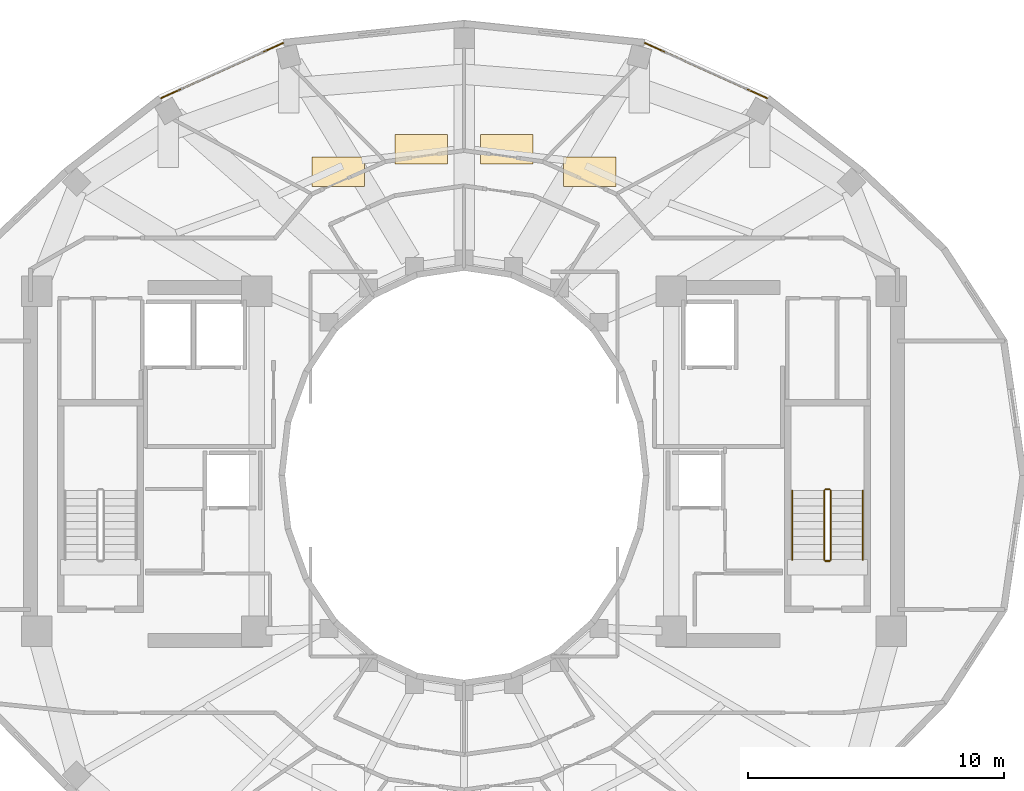
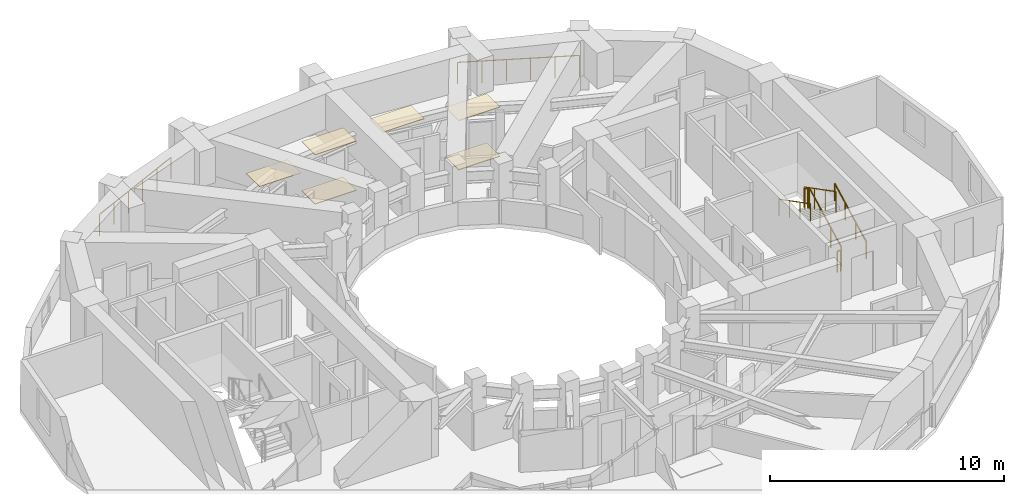
# One storey, part 17 of 17: 8 railings, 6 coverings.
"""IFC4 building model written with IfcOpenShell, lengths in metres."""

from ifc_helpers import new_model, si_unit, direction, frame, origin, origin_2d, place, context, subcontext, project, spatial, polyline, circle, outline, extrude, material, layer, layer_set, type_object, element, save


model = new_model("IFC4")

# Units and contexts
model_context = context("Model", 3, precision=1e-05, world=origin(), true_north=direction((0.0, 1.0)))
body_context = subcontext(model_context, "Body", "Model", "MODEL_VIEW")
ifc_project = project(units=[si_unit("LENGTHUNIT", "METRE"), si_unit("AREAUNIT", "SQUARE_METRE"), si_unit("VOLUMEUNIT", "CUBIC_METRE"), si_unit("PLANEANGLEUNIT", "RADIAN"), si_unit("MASSUNIT", "GRAM", prefix="KILO")], contexts=[model_context])

# Site, building, storey
site_placement = place(None, origin())
site = spatial("IfcSite", under=ifc_project, at=site_placement, CompositionType="ELEMENT")
building_placement = place(site_placement, origin())
building = spatial("IfcBuilding", under=site, at=building_placement, Name="Solvane Sanctuary Tower", CompositionType="ELEMENT")
storey_placement = place(building_placement, frame((0.0, 0.0, 235.699951171875)))
storey = spatial("IfcBuildingStorey", under=building, at=storey_placement, Name="L72", CompositionType="ELEMENT", Elevation=235.699951171875)

# Coverings
ifc_material_1 = material(Name="Acoustic Gypsum Partition Board")
ifc_layer_1 = layer(ifc_material_1, 0.02490234375, Name="Acoustic Gypsum Partition Board")
ifc_layer_set_1 = layer_set([ifc_layer_1], Name="Acoustic Gypsum Partition Board")
covering_type_1 = type_object("IfcCoveringType", Name="Covering CLG-ACOUST", PredefinedType="CEILING", material=ifc_layer_set_1)
covering_1_placement = place(storey_placement, frame((0.0, 0.0, 2.570068359375)))
element("IfcCovering", 1, at=covering_1_placement, inside=storey, type_object=covering_type_1, Name="L72 Unit Acoustic Ceiling Panel 1", PredefinedType="CEILING", context=body_context, shape_type="SweptSolid", body=[
    extrude(outline(polyline([(35.89208984375, 34.297119140625), (37.94189453125, 34.297119140625), (37.94189453125, 35.447021484375), (35.89208984375, 35.447021484375), (35.89208984375, 34.297119140625)])), origin(), (0.0, 0.0, 1.0), 0.030029296875),
])
covering_2_placement = place(storey_placement, frame((0.0, 0.0, 2.570068359375)))
element("IfcCovering", 2, at=covering_2_placement, inside=storey, type_object=covering_type_1, Name="L72 Unit Acoustic Ceiling Panel 2", PredefinedType="CEILING", context=body_context, shape_type="SweptSolid", body=[
    extrude(outline(polyline([(32.652099609375, 35.1650390625), (34.701904296875, 35.1650390625), (34.701904296875, 36.31494140625), (32.652099609375, 36.31494140625), (32.652099609375, 35.1650390625)])), origin(), (0.0, 0.0, 1.0), 0.030029296875),
])
covering_3_placement = place(storey_placement, frame((0.0, 0.0, 2.570068359375)))
element("IfcCovering", 3, at=covering_3_placement, inside=storey, type_object=covering_type_1, Name="L72 Unit Acoustic Ceiling Panel 3", PredefinedType="CEILING", context=body_context, shape_type="SweptSolid", body=[
    extrude(outline(polyline([(29.298095703125, 35.1650390625), (31.347900390625, 35.1650390625), (31.347900390625, 36.31494140625), (29.298095703125, 36.31494140625), (29.298095703125, 35.1650390625)])), origin(), (0.0, 0.0, 1.0), 0.030029296875),
])
covering_4_placement = place(storey_placement, frame((0.0, 0.0, 2.570068359375)))
element("IfcCovering", 4, at=covering_4_placement, inside=storey, type_object=covering_type_1, Name="L72 Unit Acoustic Ceiling Panel 4", PredefinedType="CEILING", context=body_context, shape_type="SweptSolid", body=[
    extrude(outline(polyline([(26.05810546875, 34.297119140625), (28.10791015625, 34.297119140625), (28.10791015625, 35.447021484375), (26.05810546875, 35.447021484375), (26.05810546875, 34.297119140625)])), origin(), (0.0, 0.0, 1.0), 0.030029296875),
])
ifc_material_2 = material(Name="Ceramic Tile Finish")
ifc_layer_2 = layer(ifc_material_2, 0.030029296875, Name="Ceramic Tile Finish")
ifc_layer_set_2 = layer_set([ifc_layer_2], Name="Ceramic Tile Finish")
covering_type_2 = type_object("IfcCoveringType", Name="Covering FLR-TERRAZZO", PredefinedType="FLOORING", material=ifc_layer_set_2)
covering_5_placement = place(storey_placement, origin())
element("IfcCovering", 5, at=covering_5_placement, inside=storey, type_object=covering_type_2, Name="L72 Unit Terrazzo Inlay 1", PredefinedType="FLOORING", context=body_context, shape_type="SweptSolid", body=[
    extrude(outline(polyline([(35.89208984375, 34.297119140625), (37.94189453125, 34.297119140625), (37.94189453125, 35.447021484375), (35.89208984375, 35.447021484375), (35.89208984375, 34.297119140625)])), origin(), (0.0, 0.0, 1.0), 0.03515625),
])
covering_6_placement = place(storey_placement, origin())
element("IfcCovering", 6, at=covering_6_placement, inside=storey, type_object=covering_type_2, Name="L72 Unit Terrazzo Inlay 3", PredefinedType="FLOORING", context=body_context, shape_type="SweptSolid", body=[
    extrude(outline(polyline([(29.298095703125, 35.1650390625), (31.347900390625, 35.1650390625), (31.347900390625, 36.31494140625), (29.298095703125, 36.31494140625), (29.298095703125, 35.1650390625)])), origin(), (0.0, 0.0, 1.0), 0.03515625),
])

# Railings
ifc_material_3 = material(Name="Architectural Stainless Steel 316", Category="steel")
railing_type_1 = type_object("IfcRailingType", Name="Railing GR-BALC-1150", PredefinedType="BALUSTRADE", material=ifc_material_3)
railing_1_placement = place(storey_placement, frame((43.8427734375, 37.744873046875, 0.0)))
element("IfcRailing", 7, at=railing_1_placement, inside=storey, type_object=railing_type_1, Name="L72 Curtain-Wall Perimeter Sill Guard 04", PredefinedType="BALUSTRADE", context=body_context, shape_type="SweptSolid", body=[
    extrude(circle(Radius=0.02392578125, at=origin_2d()), frame((0.0, 0.0, 1.1259765625), z_axis=(-0.911425316527, 0.411465542171, 0.0), x_axis=(-0.411465542171, -0.911425316527, 0.0)), (0.0, 0.0, 1.0), 5.236328125),
    extrude(circle(Radius=0.02099609375, at=origin_2d()), origin(), (0.0, 0.0, 1.0), 1.101806640625),
    extrude(circle(Radius=0.02099609375, at=origin_2d()), frame((-0.95458984375, 0.430908203125, 0.0)), (0.0, 0.0, 1.0), 1.101806640625),
    extrude(circle(Radius=0.02099609375, at=origin_2d()), frame((-1.908935546875, 0.86181640625, 0.0)), (0.0, 0.0, 1.0), 1.101806640625),
    extrude(circle(Radius=0.02099609375, at=origin_2d()), frame((-2.863525390625, 1.292724609375, 0.0)), (0.0, 0.0, 1.0), 1.101806640625),
    extrude(circle(Radius=0.02099609375, at=origin_2d()), frame((-3.81787109375, 1.7236328125, 0.0)), (0.0, 0.0, 1.0), 1.101806640625),
    extrude(circle(Radius=0.02099609375, at=origin_2d()), frame((-4.7724609375, 2.154541015625, 0.0)), (0.0, 0.0, 1.0), 1.101806640625),
])
railing_2_placement = place(storey_placement, frame((24.9296875, 39.8994140625, 0.0)))
element("IfcRailing", 8, at=railing_2_placement, inside=storey, type_object=railing_type_1, Name="L72 Curtain-Wall Perimeter Sill Guard 07", PredefinedType="BALUSTRADE", context=body_context, shape_type="SweptSolid", body=[
    extrude(circle(Radius=0.02392578125, at=origin_2d()), frame((0.0, 0.0, 1.1259765625), z_axis=(-0.911425316527, -0.411465542171, 0.0), x_axis=(0.411465542171, -0.911425316527, 0.0)), (0.0, 0.0, 1.0), 5.236328125),
    extrude(circle(Radius=0.02099609375, at=origin_2d()), origin(), (0.0, 0.0, 1.0), 1.101806640625),
    extrude(circle(Radius=0.02099609375, at=origin_2d()), frame((-0.95458984375, -0.430908203125, 0.0)), (0.0, 0.0, 1.0), 1.101806640625),
    extrude(circle(Radius=0.02099609375, at=origin_2d()), frame((-1.908935546875, -0.86181640625, 0.0)), (0.0, 0.0, 1.0), 1.101806640625),
    extrude(circle(Radius=0.02099609375, at=origin_2d()), frame((-2.863525390625, -1.292724609375, 0.0)), (0.0, 0.0, 1.0), 1.101806640625),
    extrude(circle(Radius=0.02099609375, at=origin_2d()), frame((-3.81787109375, -1.7236328125, 0.0)), (0.0, 0.0, 1.0), 1.101806640625),
    extrude(circle(Radius=0.02099609375, at=origin_2d()), frame((-4.7724609375, -2.154541015625, 0.0)), (0.0, 0.0, 1.0), 1.101806640625),
])
railing_3_placement = place(storey_placement, frame((46.340087890625, 19.699951171875, 0.155029296875)))
element("IfcRailing", 9, at=railing_3_placement, inside=storey, type_object=railing_type_1, Name="L72 ST-2 stair guard 1", PredefinedType="BALUSTRADE", context=body_context, shape_type="SweptSolid", body=[
    extrude(circle(Radius=0.02392578125, at=origin_2d()), frame((0.0, 0.0, 1.076171875), z_axis=(0.0, 0.888419900624, 0.459031676658), x_axis=(-1.0, 0.0, 0.0)), (0.0, 0.0, 1.0), 3.0390625),
    extrude(circle(Radius=0.02099609375, at=origin_2d()), origin(), (0.0, 0.0, 1.0), 1.052001953125),
    extrude(circle(Radius=0.02099609375, at=origin_2d()), frame((0.0, 0.89990234375, 0.465087890625)), (0.0, 0.0, 1.0), 1.052001953125),
    extrude(circle(Radius=0.02099609375, at=origin_2d()), frame((0.0, 1.800048828125, 0.929931640625)), (0.0, 0.0, 1.0), 1.052001953125),
    extrude(circle(Radius=0.02099609375, at=origin_2d()), frame((0.0, 2.699951171875, 1.39501953125)), (0.0, 0.0, 1.0), 1.052001953125),
])
railing_4_placement = place(storey_placement, frame((46.2900390625, 22.449951171875, 1.550048828125)))
element("IfcRailing", 10, at=railing_4_placement, inside=storey, type_object=railing_type_1, Name="L72 ST-2 stair guard 2", PredefinedType="BALUSTRADE", context=body_context, shape_type="SweptSolid", body=[
    extrude(circle(Radius=0.02392578125, at=origin_2d()), frame((0.0, 0.0, 1.076171875), z_axis=(-1.0, 0.0, 0.0), x_axis=(0.0, -1.0, 0.0)), (0.0, 0.0, 1.0), 0.16015625),
    extrude(circle(Radius=0.02099609375, at=origin_2d()), origin(), (0.0, 0.0, 1.0), 1.052001953125),
    extrude(circle(Radius=0.02099609375, at=origin_2d()), frame((-0.16015625, 0.0, 0.0)), (0.0, 0.0, 1.0), 1.052001953125),
])
railing_5_placement = place(storey_placement, frame((46.080078125, 22.39990234375, 1.705078125)))
element("IfcRailing", 11, at=railing_5_placement, inside=storey, type_object=railing_type_1, Name="L72 ST-2 stair guard 3", PredefinedType="BALUSTRADE", context=body_context, shape_type="SweptSolid", body=[
    extrude(circle(Radius=0.02392578125, at=origin_2d()), frame((0.0, 0.0, 1.076171875), z_axis=(0.0, -0.888419900624, 0.459031676658), x_axis=(1.0, 0.0, 0.0)), (0.0, 0.0, 1.0), 3.0390625),
    extrude(circle(Radius=0.02099609375, at=origin_2d()), origin(), (0.0, 0.0, 1.0), 1.052001953125),
    extrude(circle(Radius=0.02099609375, at=origin_2d()), frame((0.0, -0.89990234375, 0.465087890625)), (0.0, 0.0, 1.0), 1.052001953125),
    extrude(circle(Radius=0.02099609375, at=origin_2d()), frame((0.0, -1.800048828125, 0.929931640625)), (0.0, 0.0, 1.0), 1.052001953125),
    extrude(circle(Radius=0.02099609375, at=origin_2d()), frame((0.0, -2.699951171875, 1.39501953125)), (0.0, 0.0, 1.0), 1.052001953125),
])
railing_6_placement = place(storey_placement, frame((46.2900390625, 19.64990234375, 0.0)))
element("IfcRailing", 12, at=railing_6_placement, inside=storey, type_object=railing_type_1, Name="L72 ST-2 stair guard 4", PredefinedType="BALUSTRADE", context=body_context, shape_type="SweptSolid", body=[
    extrude(circle(Radius=0.02392578125, at=origin_2d()), frame((0.0, 0.0, 1.076171875), z_axis=(-1.0, 0.0, 0.0), x_axis=(0.0, -1.0, 0.0)), (0.0, 0.0, 1.0), 0.16015625),
    extrude(circle(Radius=0.02099609375, at=origin_2d()), origin(), (0.0, 0.0, 1.0), 1.052001953125),
    extrude(circle(Radius=0.02099609375, at=origin_2d()), frame((-0.16015625, 0.0, 0.0)), (0.0, 0.0, 1.0), 1.052001953125),
])
railing_type_2 = type_object("IfcRailingType", Name="Railing HR-STAIR-920", PredefinedType="HANDRAIL", material=ifc_material_3)
railing_7_placement = place(storey_placement, frame((47.590087890625, 19.699951171875, 0.155029296875)))
element("IfcRailing", 13, at=railing_7_placement, inside=storey, type_object=railing_type_2, Name="L72 ST-2 stair handrail 1", PredefinedType="HANDRAIL", context=body_context, shape_type="SweptSolid", body=[
    extrude(circle(Radius=0.02392578125, at=origin_2d()), frame((0.0, 0.0, 0.8759765625), z_axis=(0.0, 0.888419900624, 0.459031676658), x_axis=(-1.0, 0.0, 0.0)), (0.0, 0.0, 1.0), 3.0390625),
    extrude(circle(Radius=0.02099609375, at=origin_2d()), origin(), (0.0, 0.0, 1.0), 0.851806640625),
    extrude(circle(Radius=0.02099609375, at=origin_2d()), frame((0.0, 0.89990234375, 0.465087890625)), (0.0, 0.0, 1.0), 0.851806640625),
    extrude(circle(Radius=0.02099609375, at=origin_2d()), frame((0.0, 1.800048828125, 0.929931640625)), (0.0, 0.0, 1.0), 0.851806640625),
    extrude(circle(Radius=0.02099609375, at=origin_2d()), frame((0.0, 2.699951171875, 1.39501953125)), (0.0, 0.0, 1.0), 0.851806640625),
])
railing_8_placement = place(storey_placement, frame((44.830078125, 22.39990234375, 1.705078125)))
element("IfcRailing", 14, at=railing_8_placement, inside=storey, type_object=railing_type_2, Name="L72 ST-2 stair handrail 2", PredefinedType="HANDRAIL", context=body_context, shape_type="SweptSolid", body=[
    extrude(circle(Radius=0.02392578125, at=origin_2d()), frame((0.0, 0.0, 0.8759765625), z_axis=(0.0, -0.888419900624, 0.459031676658), x_axis=(1.0, 0.0, 0.0)), (0.0, 0.0, 1.0), 3.0390625),
    extrude(circle(Radius=0.02099609375, at=origin_2d()), origin(), (0.0, 0.0, 1.0), 0.851806640625),
    extrude(circle(Radius=0.02099609375, at=origin_2d()), frame((0.0, -0.89990234375, 0.465087890625)), (0.0, 0.0, 1.0), 0.851806640625),
    extrude(circle(Radius=0.02099609375, at=origin_2d()), frame((0.0, -1.800048828125, 0.929931640625)), (0.0, 0.0, 1.0), 0.851806640625),
    extrude(circle(Radius=0.02099609375, at=origin_2d()), frame((0.0, -2.699951171875, 1.39501953125)), (0.0, 0.0, 1.0), 0.851806640625),
])

save(model, "model.ifc")
